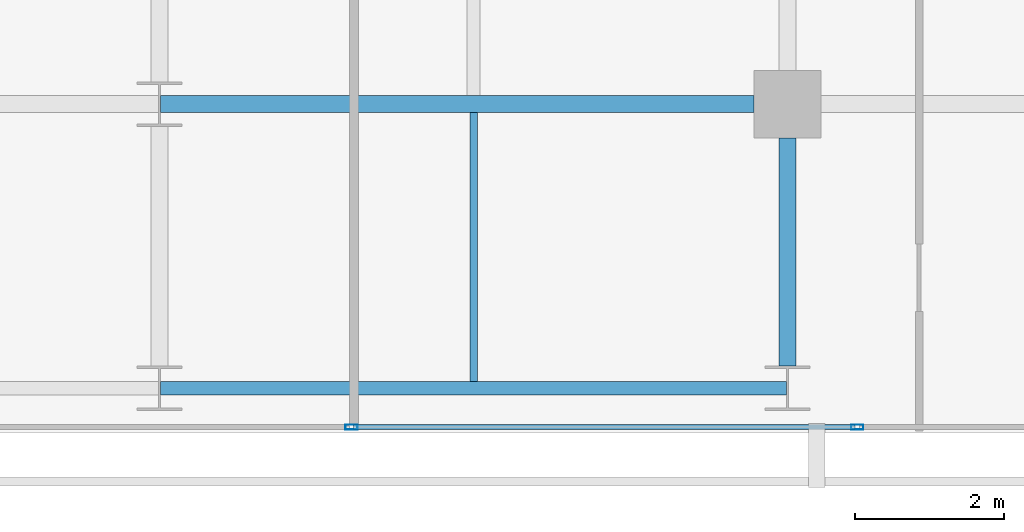
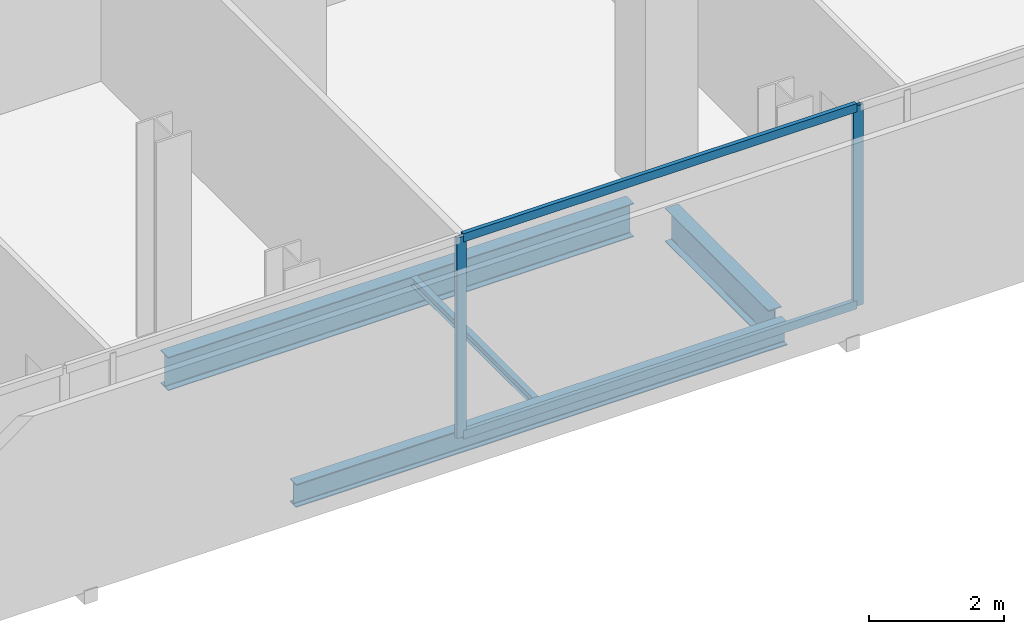
# One storey, part 12 of 32: 4 beams, 4 members, 1 element without a shape of its own.
"""IFC4 building model written with IfcOpenShell, lengths in metres."""

from ifc_helpers import new_model, si_unit, direction, frame, origin, origin_2d, place, context, subcontext, project, spatial, hollow_rectangle, i_section, extrude, material, layer, layer_set, material_profile, profile_set, type_object, element, aggregate, save


model = new_model("IFC4")

# Units and contexts
model_context = context("Model", 3, precision=1e-05, world=origin(), true_north=direction((0.0, 1.0)))
body_context = subcontext(model_context, "Body", "Model", "MODEL_VIEW")
ifc_project = project(units=[si_unit("LENGTHUNIT", "METRE"), si_unit("AREAUNIT", "SQUARE_METRE"), si_unit("VOLUMEUNIT", "CUBIC_METRE"), si_unit("PLANEANGLEUNIT", "RADIAN"), si_unit("MASSUNIT", "GRAM", prefix="KILO")], contexts=[model_context])

# Site, building, storey
site_placement = place(None, origin())
site = spatial("IfcSite", under=ifc_project, at=site_placement, CompositionType="ELEMENT")
building_placement = place(site_placement, origin())
building = spatial("IfcBuilding", under=site, at=building_placement, Name="Maruvema Waterfront Hotel and Observation Tower", CompositionType="ELEMENT")
storey_placement = place(building_placement, frame((0.0, 0.0, 165.89990234375)))
storey = spatial("IfcBuildingStorey", under=building, at=storey_placement, Name="L40", CompositionType="ELEMENT", Elevation=165.89990234375)

# Curtain wall, members
ifc_material_1 = material(Name="Anodised bronze aluminium and solar-control low-E IGU", Category="aluminium")
ifc_layer = layer(ifc_material_1, 0.159912109375, Name="Zone 2 Amber Inner Thermal Curtain Wall System CW-03")
ifc_layer_set = layer_set([ifc_layer], Name="Anodised bronze aluminium and solar-control low-E IGU")
curtain_wall_type = type_object("IfcCurtainWallType", Name="Zone 2 Amber Inner Thermal Curtain Wall System CW-03", PredefinedType="USERDEFINED", material=ifc_layer_set)
curtain_wall_placement = place(storey_placement, origin())
curtain_wall = element("IfcCurtainWall", 1, at=curtain_wall_placement, inside=storey, type_object=curtain_wall_type, Name="L40 Curtain Wall CW-L40-S", ObjectType="UNITISED CURTAIN WALL", PredefinedType="USERDEFINED")
ifc_material_2 = material(Name="Anodised architectural bronze aluminium", Category="aluminium")
ifc_material_profile_1 = material_profile(ifc_material_2, hollow_rectangle(XDim=0.070068359375, YDim=0.14990234375, WallThickness=0.00390625, at=origin_2d()), Name="ALU-T70x150")
ifc_profile_set_1 = profile_set([ifc_material_profile_1], Name="Anodised architectural bronze aluminium")
member_type_1 = type_object("IfcMemberType", Name="Curtain Wall Horizontal Transom ALU-T70x150", PredefinedType="USERDEFINED", material=ifc_profile_set_1)
member_1_placement = place(storey_placement, frame((44.5966796875, 4.679931640625, 0.030029296875), z_axis=(1.0, 0.0, 0.0), x_axis=(0.0, 1.0, 0.0)))
member_1 = element("IfcMember", 2, at=member_1_placement, type_object=member_type_1, Name="CW-03 transom 5.1", ObjectType="TRANSOM", PredefinedType="USERDEFINED", context=body_context, shape_type="SweptSolid", body=[
    extrude(hollow_rectangle(XDim=0.070068359375, YDim=0.14990234375, WallThickness=0.00390625, at=origin_2d()), origin(), (0.0, 0.0, 1.0), 6.70654296875),
])
member_2_placement = place(storey_placement, frame((44.5966796875, 4.679931640625, 3.580078125), z_axis=(1.0, 0.0, 0.0), x_axis=(0.0, 1.0, 0.0)))
member_2 = element("IfcMember", 3, at=member_2_placement, type_object=member_type_1, Name="CW-03 transom 5.2", ObjectType="TRANSOM", PredefinedType="USERDEFINED", context=body_context, shape_type="SweptSolid", body=[
    extrude(hollow_rectangle(XDim=0.070068359375, YDim=0.14990234375, WallThickness=0.00390625, at=origin_2d()), origin(), (0.0, 0.0, 1.0), 6.70654296875),
])
ifc_material_3 = material(Name="Anodised architectural bronze aluminium", Category="aluminium")
ifc_material_profile_2 = material_profile(ifc_material_3, hollow_rectangle(XDim=0.06494140625, YDim=0.1650390625, WallThickness=0.00390625, at=origin_2d()), Name="ALU-M65x165")
ifc_profile_set_2 = profile_set([ifc_material_profile_2], Name="Anodised architectural bronze aluminium")
member_type_2 = type_object("IfcMemberType", Name="Curtain Wall Primary Mullion ALU-M65x165", PredefinedType="MULLION", material=ifc_profile_set_2)
member_3_placement = place(storey_placement, frame((44.566650390625, 4.679931640625, 0.0), z_axis=(0.0, 0.0, 1.0), x_axis=(0.0, 1.0, 0.0)))
member_3 = element("IfcMember", 4, at=member_3_placement, type_object=member_type_2, Name="CW-03 mullion 5", PredefinedType="MULLION", context=body_context, shape_type="SweptSolid", body=[
    extrude(hollow_rectangle(XDim=0.06494140625, YDim=0.1650390625, WallThickness=0.00390625, at=origin_2d()), origin(), (0.0, 0.0, 1.0), 3.610107421875),
])
member_4_placement = place(storey_placement, frame((51.333251953125, 4.679931640625, 0.0), z_axis=(0.0, 0.0, 1.0), x_axis=(0.0, 1.0, 0.0)))
member_4 = element("IfcMember", 5, at=member_4_placement, type_object=member_type_2, Name="CW-03 mullion 6", PredefinedType="MULLION", context=body_context, shape_type="SweptSolid", body=[
    extrude(hollow_rectangle(XDim=0.06494140625, YDim=0.1650390625, WallThickness=0.00390625, at=origin_2d()), origin(), (0.0, 0.0, 1.0), 3.610107421875),
])
aggregate(curtain_wall, [member_3, member_4, member_1, member_2])

# Beams
ifc_material_4 = material(Name="Steel ASTM A572 Grade 50", Category="steel")
ifc_material_profile_3 = material_profile(ifc_material_4, i_section(OverallWidth=0.180908203125, OverallDepth=0.4169921875, WebThickness=0.010986328125, FlangeThickness=0.018310546875, FilletRadius=0.014892578125, at=origin_2d()), Name="W410x85.0")
ifc_profile_set_3 = profile_set([ifc_material_profile_3], Name="Steel ASTM A572 Grade 50")
beam_type_1 = type_object("IfcBeamType", Name="Perimeter Spandrel Beam W410x85.0", PredefinedType="SPANDREL", material=ifc_profile_set_3)
beam_1_placement = place(storey_placement, frame((42.012451171875, 5.199951171875, -0.448486328125), z_axis=(1.0, 0.0, 0.0), x_axis=(0.0, 1.0, 0.0)))
element("IfcBeam", 6, at=beam_1_placement, inside=storey, type_object=beam_type_1, Name="L40 Floor Girder EW-03", PredefinedType="SPANDREL", context=body_context, shape_type="SweptSolid", body=[
    extrude(i_section(OverallWidth=0.180908203125, OverallDepth=0.4169921875, WebThickness=0.010986328125, FlangeThickness=0.018310546875, FilletRadius=0.014892578125, at=origin_2d()), origin(), (0.0, 0.0, 1.0), 8.375),
])
ifc_material_5 = material(Name="Steel ASTM A572 Grade 50", Category="steel")
ifc_material_profile_4 = material_profile(ifc_material_5, i_section(OverallWidth=0.22802734375, OverallDepth=0.60302734375, WebThickness=0.010498046875, FlangeThickness=0.014892578125, FilletRadius=0.01806640625, at=origin_2d()), Name="W610x101.0")
ifc_profile_set_4 = profile_set([ifc_material_profile_4], Name="Steel ASTM A572 Grade 50")
beam_type_2 = type_object("IfcBeamType", Name="Primary Floor Girder W610x101.0", PredefinedType="BEAM", material=ifc_profile_set_4)
beam_2_placement = place(storey_placement, frame((42.012451171875, 9.0, -0.54150390625), z_axis=(1.0, 0.0, 0.0), x_axis=(0.0, 1.0, 0.0)))
element("IfcBeam", 7, at=beam_2_placement, inside=storey, type_object=beam_type_2, Name="L40 Floor Girder EW-08", PredefinedType="BEAM", context=body_context, shape_type="SweptSolid", body=[
    extrude(i_section(OverallWidth=0.22802734375, OverallDepth=0.60302734375, WebThickness=0.010498046875, FlangeThickness=0.014892578125, FilletRadius=0.01806640625, at=origin_2d()), origin(), (0.0, 0.0, 1.0), 7.9375),
])
beam_3_placement = place(storey_placement, frame((50.39990234375, 5.5, -0.54150390625), z_axis=(0.0, 1.0, 0.0), x_axis=(-1.0, 0.0, 0.0)))
element("IfcBeam", 8, at=beam_3_placement, inside=storey, type_object=beam_type_2, Name="L40 Floor Girder NS-20", PredefinedType="BEAM", context=body_context, shape_type="SweptSolid", body=[
    extrude(i_section(OverallWidth=0.22802734375, OverallDepth=0.60302734375, WebThickness=0.010498046875, FlangeThickness=0.014892578125, FilletRadius=0.01806640625, at=origin_2d()), origin(), (0.0, 0.0, 1.0), 3.050048828125),
])
ifc_material_6 = material(Name="Steel ASTM A572 Grade 50", Category="steel")
ifc_material_profile_5 = material_profile(ifc_material_6, i_section(OverallWidth=0.10009765625, OverallDepth=0.153076171875, WebThickness=0.005859375, FlangeThickness=0.007080078125, FilletRadius=0.008056640625, at=origin_2d()), Name="W150x18.0")
ifc_profile_set_5 = profile_set([ifc_material_profile_5], Name="Steel ASTM A572 Grade 50")
beam_type_3 = type_object("IfcBeamType", Name="Secondary Floor Joist W150x18.0", PredefinedType="JOIST", material=ifc_profile_set_5)
beam_4_placement = place(storey_placement, frame((46.199951171875, 5.29052734375, -0.31640625), z_axis=(0.0, 1.0, 0.0), x_axis=(-1.0, 0.0, 0.0)))
element("IfcBeam", 9, at=beam_4_placement, inside=storey, type_object=beam_type_3, Name="L40 Secondary Floor Joist JS-09", PredefinedType="JOIST", context=body_context, shape_type="SweptSolid", body=[
    extrude(i_section(OverallWidth=0.10009765625, OverallDepth=0.153076171875, WebThickness=0.005859375, FlangeThickness=0.007080078125, FilletRadius=0.008056640625, at=origin_2d()), origin(), (0.0, 0.0, 1.0), 3.595458984375),
])

save(model, "model.ifc")
